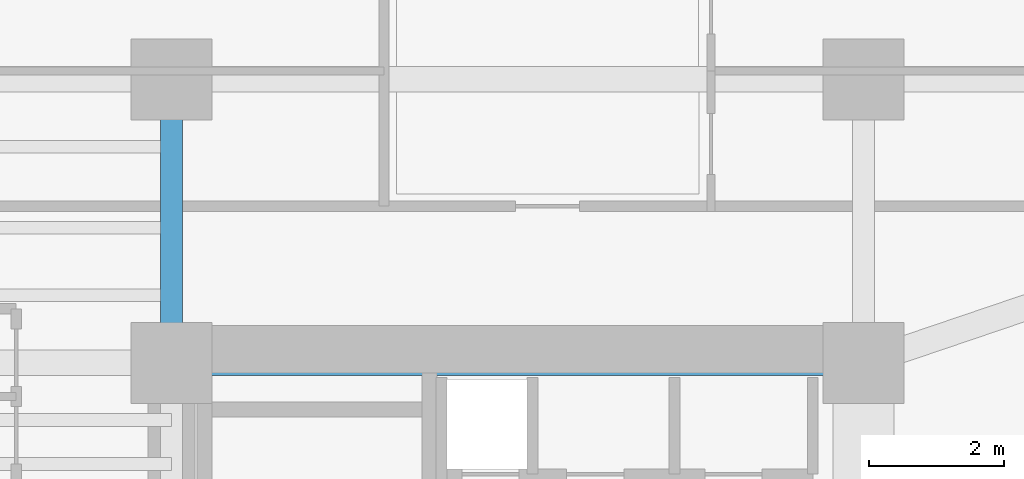
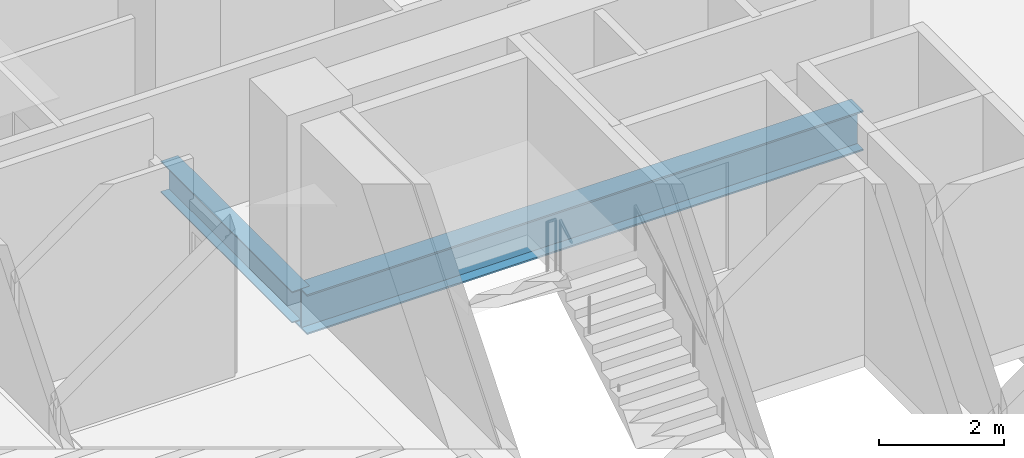
# One storey, part 10 of 38: 2 beams.
"""IFC4 building model written with IfcOpenShell, lengths in metres."""

from ifc_helpers import new_model, si_unit, direction, frame, origin, origin_2d, place, context, subcontext, project, spatial, i_section, extrude, source, transform, mapped, material, material_profile, profile_set, type_object, element, save


model = new_model("IFC4")

# Units and contexts
model_context = context("Model", 3, precision=1e-05, world=origin(), true_north=direction((0.0, 1.0)))
body_context = subcontext(model_context, "Body", "Model", "MODEL_VIEW")
ifc_project = project(units=[si_unit("LENGTHUNIT", "METRE"), si_unit("AREAUNIT", "SQUARE_METRE"), si_unit("VOLUMEUNIT", "CUBIC_METRE"), si_unit("PLANEANGLEUNIT", "RADIAN"), si_unit("MASSUNIT", "GRAM", prefix="KILO")], contexts=[model_context])

# Site, building, storey
site_placement = place(None, origin())
site = spatial("IfcSite", under=ifc_project, at=site_placement, CompositionType="ELEMENT")
building_placement = place(site_placement, origin())
building = spatial("IfcBuilding", under=site, at=building_placement, Name="Valdorenza Pilgrim Sanctuary Tower", CompositionType="ELEMENT")
storey_placement = place(building_placement, frame((0.0, 0.0, 131.60009765625)))
storey = spatial("IfcBuildingStorey", under=building, at=storey_placement, Name="L33", CompositionType="ELEMENT", Elevation=131.60009765625)

# Beams
ifc_material = material(Name="Steel ASTM A992 Grade 50", Category="steel")
ifc_material_profile_1 = material_profile(ifc_material, i_section(OverallWidth=0.323974609375, OverallDepth=0.611083984375, WebThickness=0.0126953125, FlangeThickness=0.01904296875, at=origin_2d()), Name="W24X104")
ifc_profile_set_1 = profile_set([ifc_material_profile_1], Name="Steel ASTM A992 Grade 50")
beam_type_1 = type_object("IfcBeamType", Name="STR-BM-GRD-W24B", PredefinedType="BEAM", material=ifc_profile_set_1)
shared_shape_1 = source(origin(), body_context, "Body", "SweptSolid", [
    extrude(i_section(OverallWidth=0.323974609375, OverallDepth=0.611083984375, WebThickness=0.0126953125, FlangeThickness=0.01904296875, at=origin_2d()), origin(), (0.0, 0.0, 1.0), 4.199951171875),
])
beam_1_placement = place(storey_placement, frame((-22.64990234375, 10.60009765625, -0.545654296875), z_axis=(0.0, 1.0, 0.0), x_axis=(-1.0, 0.0, 0.0)))
element("IfcBeam", 1, at=beam_1_placement, inside=storey, type_object=beam_type_1, Name="L33 Core Tie Girder CA-W-N1N2", PredefinedType="BEAM", context=body_context, shape_type="MappedRepresentation", body=[
    mapped(shared_shape_1, transform((0.0, 0.0, 0.0), x_axis=(1.0, 0.0, 0.0), y_axis=(0.0, 1.0, 0.0), z_axis=(0.0, 0.0, 1.0), scale=1.0)),
])
ifc_material_profile_2 = material_profile(ifc_material, i_section(OverallWidth=0.382080078125, OverallDepth=0.779052734375, WebThickness=0.01806640625, FlangeThickness=0.030029296875, at=origin_2d()), Name="W30X191")
ifc_profile_set_2 = profile_set([ifc_material_profile_2], Name="Steel ASTM A992 Grade 50")
beam_type_2 = type_object("IfcBeamType", Name="STR-BM-GRD-W30", PredefinedType="BEAM", material=ifc_profile_set_2)
shared_shape_2 = source(origin(), body_context, "Body", "SweptSolid", [
    extrude(i_section(OverallWidth=0.382080078125, OverallDepth=0.779052734375, WebThickness=0.01806640625, FlangeThickness=0.030029296875, at=origin_2d()), origin(), (0.0, 0.0, 1.0), 10.25),
])
beam_2_placement = place(storey_placement, frame((-22.64990234375, 10.60009765625, -0.629638671875), z_axis=(1.0, 0.0, 0.0), x_axis=(0.0, 1.0, 0.0)))
element("IfcBeam", 2, at=beam_2_placement, inside=storey, type_object=beam_type_2, Name="L33 Floor Girder CA-XC-N1", PredefinedType="BEAM", context=body_context, shape_type="MappedRepresentation", body=[
    mapped(shared_shape_2, transform((0.0, 0.0, 0.0), x_axis=(1.0, 0.0, 0.0), y_axis=(0.0, 1.0, 0.0), z_axis=(0.0, 0.0, 1.0), scale=1.0)),
])

save(model, "model.ifc")
